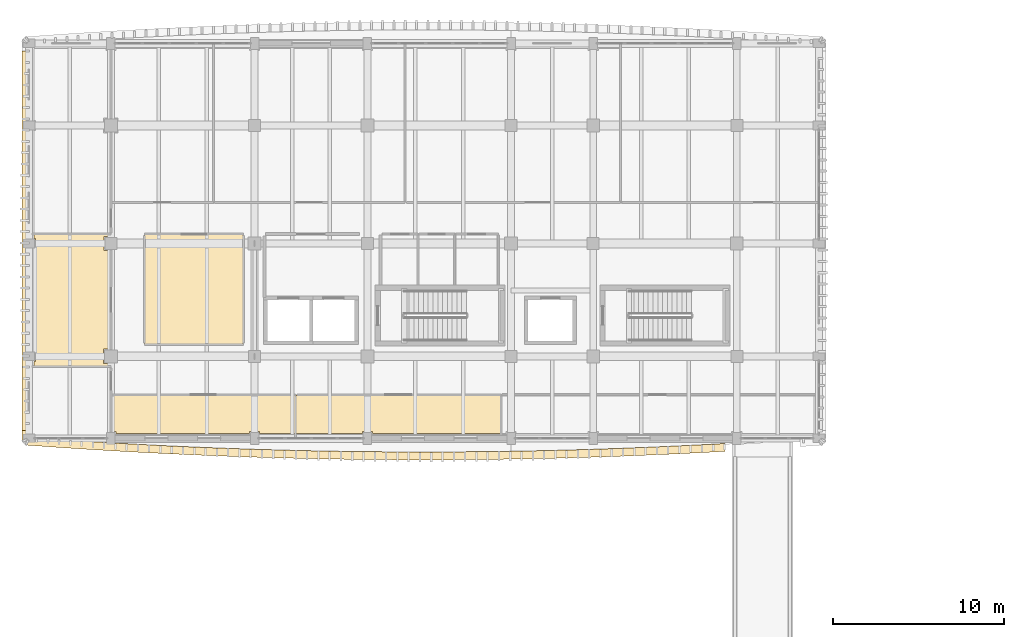
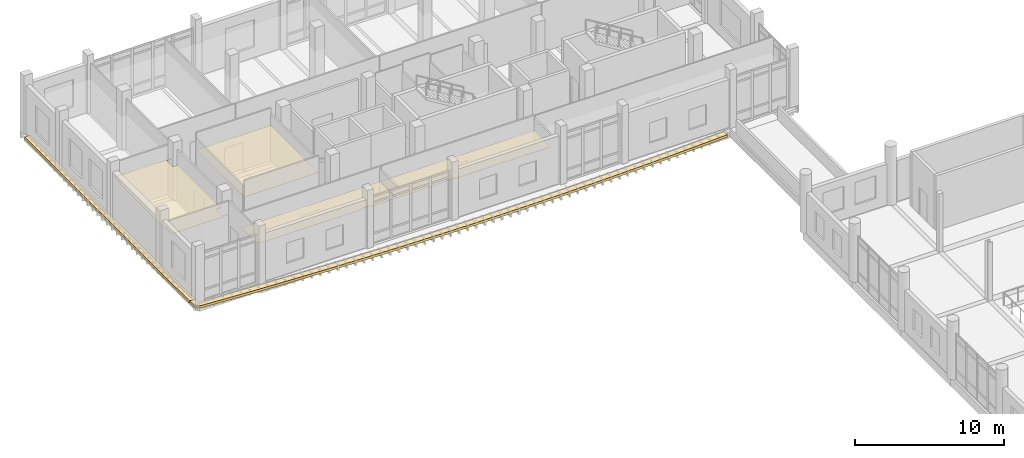
# One storey, part 61 of 76: 6 coverings.
"""IFC4 building model written with IfcOpenShell, lengths in metres."""

from ifc_helpers import new_model, si_unit, direction, frame, origin, place, context, subcontext, project, spatial, polyline, outline, extrude, material, layer, layer_set, type_object, element, save


model = new_model("IFC4")

# Units and contexts
model_context = context("Model", 3, precision=1e-05, world=origin(), true_north=direction((0.0, 1.0)))
body_context = subcontext(model_context, "Body", "Model", "MODEL_VIEW")
ifc_project = project(units=[si_unit("LENGTHUNIT", "METRE"), si_unit("AREAUNIT", "SQUARE_METRE"), si_unit("VOLUMEUNIT", "CUBIC_METRE"), si_unit("PLANEANGLEUNIT", "RADIAN"), si_unit("MASSUNIT", "GRAM", prefix="KILO")], contexts=[model_context])

# Site, building, storey
site_placement = place(None, origin())
site = spatial("IfcSite", under=ifc_project, at=site_placement, CompositionType="ELEMENT")
building_placement = place(site_placement, origin())
building = spatial("IfcBuilding", under=site, at=building_placement, Name="Dornvale Research Institute", CompositionType="ELEMENT")
storey_placement = place(building_placement, frame((0.0, 0.0, 15.0)))
storey = spatial("IfcBuildingStorey", under=building, at=storey_placement, Name="L03", CompositionType="ELEMENT", Elevation=15.0)

# Coverings
ifc_material_1 = material(Name="Mineral-Fibre Acoustic Lay-In Ceiling Tile System")
ifc_layer_1 = layer(ifc_material_1, 0.02001953125)
ifc_layer_set_1 = layer_set([ifc_layer_1], Name="Mineral-Fibre Acoustic Lay-In Ceiling Tile System")
covering_type_1 = type_object("IfcCoveringType", Name="Covering_Acoustic_Ceiling", PredefinedType="CEILING", material=ifc_layer_set_1)
covering_1_placement = place(storey_placement, frame((0.0, 0.0, 2.85009765625)))
element("IfcCovering", 1, at=covering_1_placement, inside=storey, type_object=covering_type_1, Name="L03 Bioinformatics Compute Node Room L03 suspended ceiling", PredefinedType="CEILING", context=body_context, shape_type="SweptSolid", body=[
    extrude(outline(polyline([(12.530029296875, 104.52001953125), (6.77001953125, 104.52001953125), (6.77001953125, 110.929931640625), (12.530029296875, 110.929931640625), (12.530029296875, 104.52001953125)])), origin(), (0.0, 0.0, 1.0), 0.02001953125),
])
covering_2_placement = place(storey_placement, frame((0.0, 0.0, 2.85009765625)))
element("IfcCovering", 2, at=covering_2_placement, inside=storey, type_object=covering_type_1, Name="L03 Ecological Specimen Digitization Room L03 suspended ceiling", PredefinedType="CEILING", context=body_context, shape_type="SweptSolid", body=[
    extrude(outline(polyline([(0.39990234375, 104.10009765625), (0.300048828125, 104.10009765625), (0.300048828125, 110.10009765625), (0.39990234375, 110.10009765625), (0.39990234375, 110.699951171875), (0.300048828125, 110.699951171875), (0.300048828125, 110.929931640625), (4.780029296875, 110.929931640625), (4.780029296875, 110.800048828125), (4.39990234375, 110.800048828125), (4.39990234375, 110.0), (4.780029296875, 110.0), (4.780029296875, 104.22509765625), (4.375, 104.22509765625), (4.375, 103.375), (4.780029296875, 103.375), (4.780029296875, 103.219970703125), (0.300048828125, 103.219970703125), (0.300048828125, 103.5), (0.39990234375, 103.5), (0.39990234375, 104.10009765625)])), origin(), (0.0, 0.0, 1.0), 0.02001953125),
])
covering_3_placement = place(storey_placement, frame((0.0, 0.0, 2.85009765625)))
element("IfcCovering", 3, at=covering_3_placement, inside=storey, type_object=covering_type_1, Name="L03 Systems Modelling Dry Laboratory suspended ceiling", PredefinedType="CEILING", context=body_context, shape_type="SweptSolid", body=[
    extrude(outline(polyline([(15.580078125, 99.300048828125), (13.5, 99.300048828125), (13.5, 99.39990234375), (12.89990234375, 99.39990234375), (12.89990234375, 99.300048828125), (5.10009765625, 99.300048828125), (5.10009765625, 99.39990234375), (4.820068359375, 99.39990234375), (4.820068359375, 101.530029296875), (15.580078125, 101.530029296875), (15.580078125, 99.300048828125)])), origin(), (0.0, 0.0, 1.0), 0.02001953125),
])
covering_4_placement = place(storey_placement, frame((0.0, 0.0, 2.85009765625)))
element("IfcCovering", 4, at=covering_4_placement, inside=storey, type_object=covering_type_1, Name="L03 Colloquium Seminar Room L03 suspended ceiling", PredefinedType="CEILING", context=body_context, shape_type="SweptSolid", body=[
    extrude(outline(polyline([(19.5, 99.300048828125), (15.6201171875, 99.300048828125), (15.6201171875, 101.530029296875), (27.580078125, 101.530029296875), (27.580078125, 99.300048828125), (20.10009765625, 99.300048828125), (20.10009765625, 99.39990234375), (19.5, 99.39990234375), (19.5, 99.300048828125)])), origin(), (0.0, 0.0, 1.0), 0.02001953125),
])
ifc_material_2 = material(Name="Polychrome Glazed Terracotta Visor Rib Ceramic", Category="masonry")
ifc_layer_2 = layer(ifc_material_2, 0.199951171875)
ifc_layer_set_2 = layer_set([ifc_layer_2], Name="Polychrome Glazed Terracotta Visor Rib Ceramic")
covering_type_2 = type_object("IfcCoveringType", Name="Covering_VisorBrim_Shelf", PredefinedType="CLADDING", material=ifc_layer_set_2)
covering_5_placement = place(storey_placement, frame((0.0, 0.0, -0.280029296875)))
element("IfcCovering", 5, at=covering_5_placement, inside=storey, type_object=covering_type_2, Name="L03 V5 canted bowed-brim visor hood #14", PredefinedType="CLADDING", context=body_context, shape_type="SweptSolid", body=[
    extrude(outline(polyline([(0.06005859375, 99.055908203125), (1.654052734375, 98.94287109375), (3.3037109375, 98.83447265625), (4.95361328125, 98.734619140625), (6.60302734375, 98.6435546875), (8.252685546875, 98.561279296875), (9.902587890625, 98.487548828125), (11.55224609375, 98.422607421875), (13.201904296875, 98.3662109375), (14.8515625, 98.318359375), (16.501220703125, 98.279296875), (18.15087890625, 98.2490234375), (19.800537109375, 98.227294921875), (21.4501953125, 98.21435546875), (23.10009765625, 98.2099609375), (24.749755859375, 98.21435546875), (26.3994140625, 98.227294921875), (28.049072265625, 98.2490234375), (29.69873046875, 98.279296875), (31.348388671875, 98.318359375), (32.998046875, 98.3662109375), (34.647705078125, 98.422607421875), (36.297607421875, 98.487548828125), (37.947265625, 98.561279296875), (39.596923828125, 98.6435546875), (40.699951171875, 98.70458984375), (40.699951171875, 98.240478515625), (39.622314453125, 98.18115234375), (39.6201171875, 98.180908203125), (37.97021484375, 98.0986328125), (37.968017578125, 98.098388671875), (36.318115234375, 98.02490234375), (36.31591796875, 98.024658203125), (34.666015625, 97.959716796875), (34.663818359375, 97.95947265625), (33.013916015625, 97.903076171875), (33.01171875, 97.903076171875), (31.36181640625, 97.85546875), (31.359619140625, 97.855224609375), (29.70947265625, 97.81640625), (29.70751953125, 97.81640625), (28.057373046875, 97.785888671875), (28.055419921875, 97.785888671875), (26.4052734375, 97.76416015625), (26.4033203125, 97.76416015625), (24.753173828125, 97.751220703125), (24.751220703125, 97.751220703125), (23.10107421875, 97.746826171875), (23.098876953125, 97.746826171875), (21.448974609375, 97.751220703125), (21.44677734375, 97.751220703125), (19.796875, 97.76416015625), (19.794677734375, 97.76416015625), (18.144775390625, 97.785888671875), (18.142578125, 97.785888671875), (16.49267578125, 97.81640625), (16.490478515625, 97.81640625), (14.840576171875, 97.855224609375), (14.83837890625, 97.85546875), (13.188232421875, 97.903076171875), (13.186279296875, 97.903076171875), (11.5361328125, 97.95947265625), (11.5341796875, 97.959716796875), (9.884033203125, 98.024658203125), (9.882080078125, 98.02490234375), (8.23193359375, 98.098388671875), (8.22998046875, 98.0986328125), (6.579833984375, 98.180908203125), (6.577880859375, 98.18115234375), (4.927734375, 98.272216796875), (4.92578125, 98.272216796875), (3.275634765625, 98.3720703125), (3.273681640625, 98.372314453125), (1.62353515625, 98.480712890625), (1.62158203125, 98.480712890625), (-0.028564453125, 98.597900390625), (-0.173828125, 98.63623046875), (-0.294921875, 98.72509765625), (-0.375244140625, 98.852294921875), (-0.4033203125, 99.0), (-0.4033203125, 99.449951171875), (0.06005859375, 99.449951171875), (0.06005859375, 99.055908203125)])), origin(), (0.0, 0.0, 1.0), 0.199951171875),
])
covering_6_placement = place(storey_placement, frame((0.0, 0.0, -0.280029296875)))
element("IfcCovering", 6, at=covering_6_placement, inside=storey, type_object=covering_type_2, Name="L03 V5 canted bowed-brim visor hood #16", PredefinedType="CLADDING", context=body_context, shape_type="SweptSolid", body=[
    extrude(outline(polyline([(0.06005859375, 99.449951171875), (-0.4033203125, 99.449951171875), (-0.4033203125, 121.64990234375), (0.06005859375, 121.64990234375), (0.06005859375, 99.449951171875)])), origin(), (0.0, 0.0, 1.0), 0.199951171875),
])

save(model, "model.ifc")
